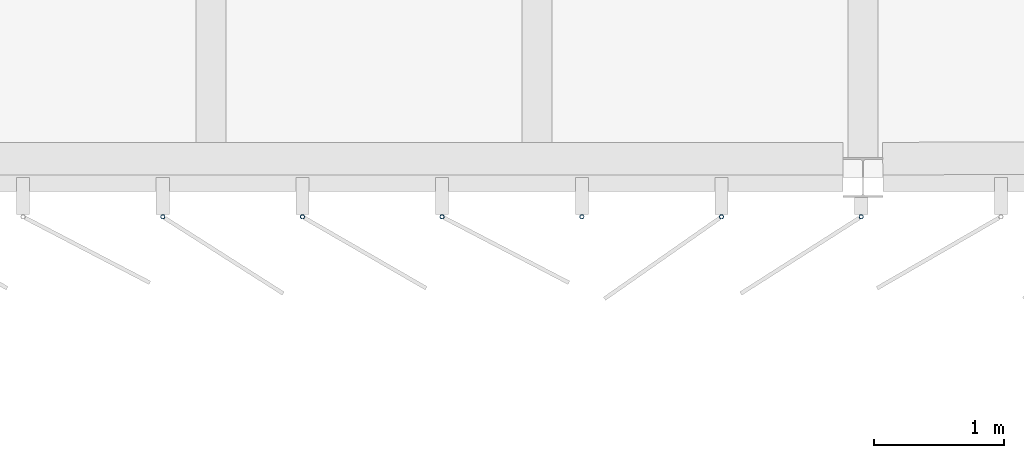
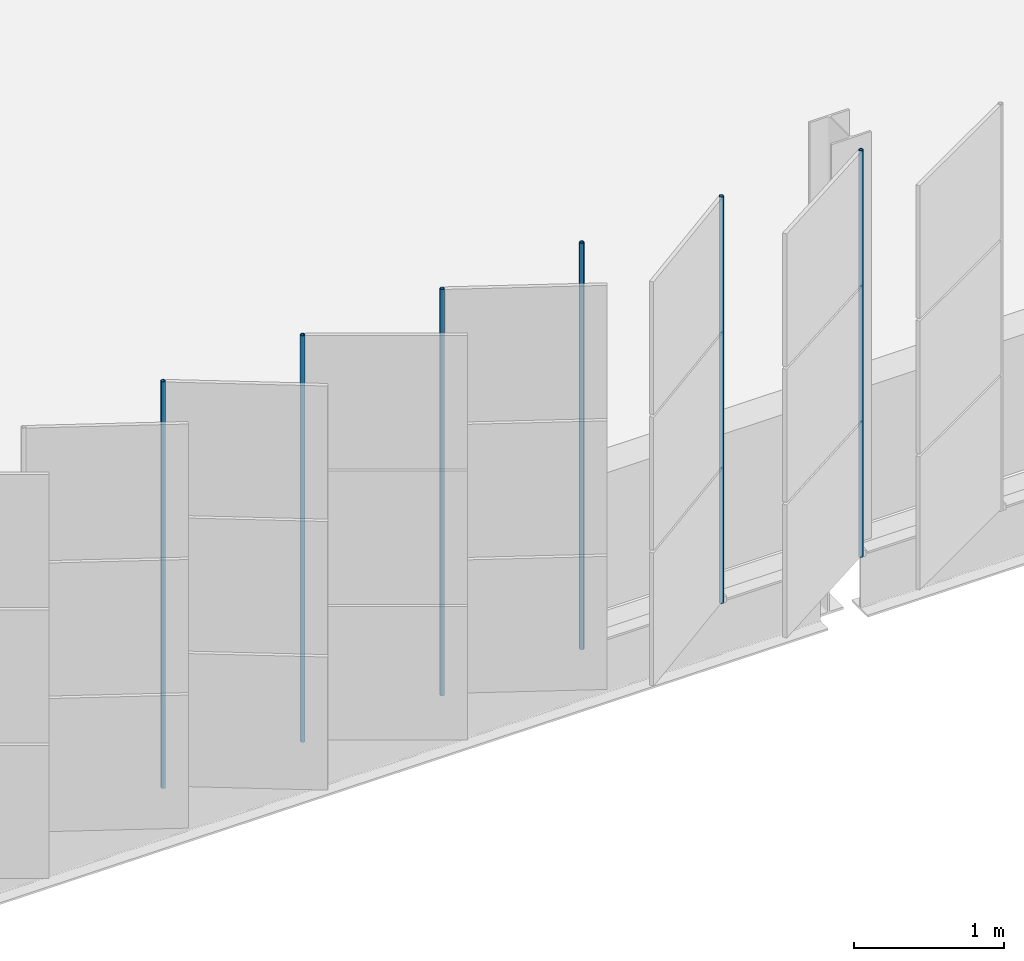
# One storey, part 75 of 199: 6 discrete accessories.
"""IFC4 building model written with IfcOpenShell, lengths in metres."""

from ifc_helpers import new_model, si_unit, direction, frame, origin, origin_2d, place, context, subcontext, project, spatial, hollow_circle, extrude, material, material_profile, profile_set, type_object, element, save


model = new_model("IFC4")

# Units and contexts
model_context = context("Model", 3, precision=1e-05, world=origin(), true_north=direction((0.0, 1.0)))
body_context = subcontext(model_context, "Body", "Model", "MODEL_VIEW")
ifc_project = project(units=[si_unit("LENGTHUNIT", "METRE"), si_unit("AREAUNIT", "SQUARE_METRE"), si_unit("VOLUMEUNIT", "CUBIC_METRE"), si_unit("PLANEANGLEUNIT", "RADIAN"), si_unit("MASSUNIT", "GRAM", prefix="KILO")], contexts=[model_context])

# Site, building, storey
site_placement = place(None, origin())
site = spatial("IfcSite", under=ifc_project, at=site_placement, CompositionType="ELEMENT")
building_placement = place(site_placement, origin())
building = spatial("IfcBuilding", under=site, at=building_placement, Name="Parallax Yard Mobility Hub", CompositionType="ELEMENT")
storey_placement = place(building_placement, frame((0.0, 0.0, 9.89990234375)))
storey = spatial("IfcBuildingStorey", under=building, at=storey_placement, Name="L03", CompositionType="ELEMENT", Elevation=9.89990234375)

# Discrete accessories
ifc_material = material(Name="Steel ASTM A500 Gr C, hot-dip galvanised", Category="steel")
ifc_material_profile = material_profile(ifc_material, hollow_circle(Radius=0.016845703125, WallThickness=0.003173828125, at=origin_2d()), Name="CHS 33.7x3.2")
ifc_profile_set = profile_set([ifc_material_profile], Name="Steel ASTM A500 Gr C, hot-dip galvanised")
discrete_accessory_type = type_object("IfcDiscreteAccessoryType", Name="Hinge post CHS 33.7x3.2", PredefinedType="BRACKET", material=ifc_profile_set)
for number, where, z_axis, x_axis, name in (
    (1, (47.12939453125, 112.199951171875, 0.0), (0.0, 0.0, 1.0), (1.0, 0.0, 0.0), "Hinge post bay 3.3 level L03"),
    (2, (48.20068359375, 112.199951171875, 0.0), (0.0, 0.0, 1.0), (1.0, 0.0, 0.0), "Hinge post bay 3.4 level L03"),
    (3, (49.272216796875, 112.199951171875, 0.0), (0.0, 0.0, 1.0), (1.0, 0.0, 0.0), "Hinge post bay 3.5 level L03"),
    (4, (50.34375, 112.199951171875, 0.0), (0.0, 0.0, 1.0), (1.0, 0.0, 0.0), "Hinge post bay 3.6 level L03"),
    (5, (51.415283203125, 112.199951171875, 0.0), (0.0, 0.0, 1.0), (1.0, 0.0, 0.0), "Hinge post bay 3.7 level L03"),
    (6, (52.48681640625, 112.199951171875, 0.0), (0.0, 0.0, 1.0), (1.0, 0.0, 0.0), "Hinge post bay 4.1 level L03"),
):
    element("IfcDiscreteAccessory", number, at=place(storey_placement, frame(where, z_axis=z_axis, x_axis=x_axis)), inside=storey, type_object=discrete_accessory_type, Name=name, PredefinedType="BRACKET", context=body_context, shape_type="SweptSolid", body=[
        extrude(hollow_circle(Radius=0.016845703125, WallThickness=0.003173828125, at=origin_2d()), origin(), (0.0, 0.0, 1.0), 3.300048828125),
    ])

save(model, "model.ifc")
